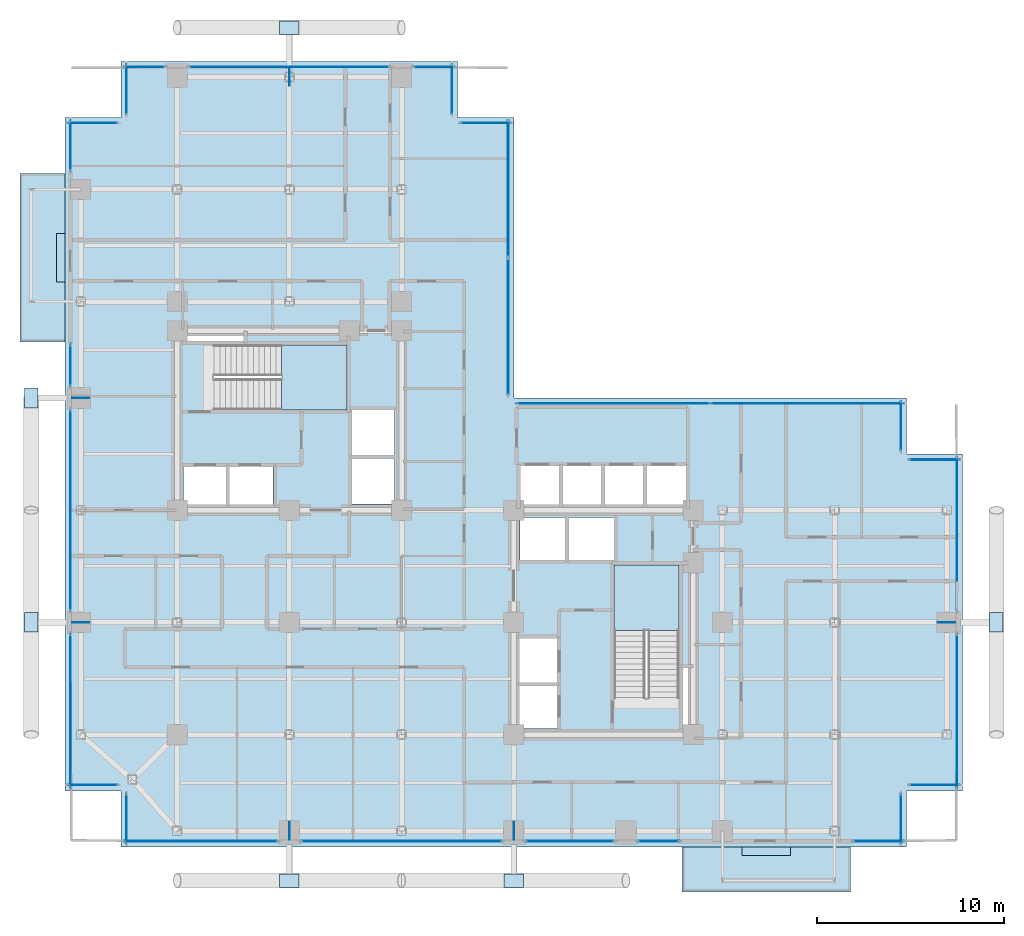
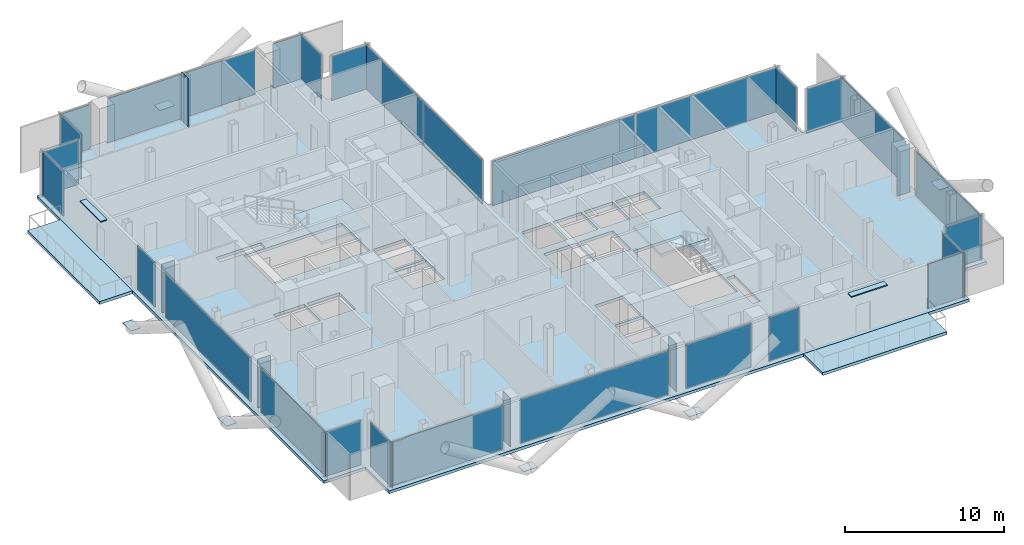
# One storey, part 18 of 28: 42 plates, 5 slabs, 28 elements without a shape of their own.
"""IFC4 building model written with IfcOpenShell, lengths in metres."""

from ifc_helpers import new_model, si_unit, direction, frame, origin, origin_2d, place, context, subcontext, project, spatial, polyline, rectangle, outline, extrude, material, layer, layer_set, type_object, element, aggregate, save


model = new_model("IFC4")

# Units and contexts
model_context = context("Model", 3, precision=1e-05, world=origin(), true_north=direction((0.0, 1.0)))
body_context = subcontext(model_context, "Body", "Model", "MODEL_VIEW")
ifc_project = project(units=[si_unit("LENGTHUNIT", "METRE"), si_unit("AREAUNIT", "SQUARE_METRE"), si_unit("VOLUMEUNIT", "CUBIC_METRE"), si_unit("PLANEANGLEUNIT", "RADIAN"), si_unit("MASSUNIT", "GRAM", prefix="KILO"), si_unit("THERMODYNAMICTEMPERATUREUNIT", "KELVIN"), si_unit("POWERUNIT", "WATT")], contexts=[model_context])

# Site, building, storey
site_placement = place(None, origin())
site = spatial("IfcSite", under=ifc_project, at=site_placement, CompositionType="ELEMENT")
building_placement = place(site_placement, origin())
building = spatial("IfcBuilding", under=site, at=building_placement, Name="Svarakhadi Broadcast Tower", CompositionType="ELEMENT")
storey_placement = place(building_placement, frame((0.0, 0.0, 153.14990234375)))
storey = spatial("IfcBuildingStorey", under=building, at=storey_placement, Name="L37", CompositionType="ELEMENT", Elevation=153.14990234375)

# Curtain wall, plate
ifc_material_1 = material(Name="Anodised Bronze Aluminium AA 6063-T6", Category="aluminium")
ifc_layer_1 = layer(ifc_material_1, 0.199951171875)
ifc_layer_set_1 = layer_set([ifc_layer_1], Name="Anodised Bronze Aluminium AA 6063-T6")
curtain_wall_type = type_object("IfcCurtainWallType", Name="CW_Sys_03", PredefinedType="NOTDEFINED", material=ifc_layer_set_1)
curtain_wall_1_placement = place(storey_placement, origin())
curtain_wall_1 = element("IfcCurtainWall", 1, at=curtain_wall_1_placement, inside=storey, type_object=curtain_wall_type, Name="L37 Unitised Facade Curtain Wall 01", PredefinedType="NOTDEFINED")
ifc_material_2 = material(Name="Double Low-E Laminated Acoustic Glass IGU 36 mm", Category="glass")
ifc_layer_2 = layer(ifc_material_2, 0.035888671875)
ifc_layer_set_2 = layer_set([ifc_layer_2], Name="Double Low-E Laminated Acoustic Glass IGU 36 mm")
plate_type_1 = type_object("IfcPlateType", Name="CW_Sys_03_Pnl", PredefinedType="CURTAIN_PANEL", material=ifc_layer_set_2)
plate_1_placement = place(storey_placement, frame((1.5, 3.300048828125, 0.0703125), z_axis=(0.0, 0.0, 1.0), x_axis=(-1.0, 0.0, 0.0)))
plate_1 = element("IfcPlate", 2, at=plate_1_placement, type_object=plate_type_1, Name="CW-03 panel 1.1", PredefinedType="CURTAIN_PANEL", context=body_context, shape_type="SweptSolid", body=[
    extrude(rectangle(XDim=2.669921875, YDim=0.035888671875, at=origin_2d()), origin(), (0.0, 0.0, 1.0), 3.385009765625),
])
aggregate(curtain_wall_1, [plate_1])

curtain_wall_2_placement = place(storey_placement, origin())
curtain_wall_2 = element("IfcCurtainWall", 3, at=curtain_wall_2_placement, inside=storey, type_object=curtain_wall_type, Name="L37 West Curtain Wall 02 Bay 1", PredefinedType="NOTDEFINED")
plate_2_placement = place(storey_placement, frame((0.300048828125, 7.260009765625, 0.0703125), z_axis=(0.0, 0.0, 1.0), x_axis=(0.0, 1.0, 0.0)))
plate_2 = element("IfcPlate", 4, at=plate_2_placement, type_object=plate_type_1, Name="CW-03 panel 1.1", PredefinedType="CURTAIN_PANEL", context=body_context, shape_type="SweptSolid", body=[
    extrude(rectangle(XDim=8.18994140625, YDim=0.035888671875, at=origin_2d()), origin(), (0.0, 0.0, 1.0), 3.385009765625),
])
aggregate(curtain_wall_2, [plate_2])

curtain_wall_3_placement = place(storey_placement, origin())
curtain_wall_3 = element("IfcCurtainWall", 5, at=curtain_wall_3_placement, inside=storey, type_object=curtain_wall_type, Name="L37 West Curtain Wall 02 Bay 2", PredefinedType="NOTDEFINED")
plate_3_placement = place(storey_placement, frame((0.300048828125, 18.0, 0.0703125), z_axis=(0.0, 0.0, 1.0), x_axis=(0.0, 1.0, 0.0)))
plate_3 = element("IfcPlate", 6, at=plate_3_placement, type_object=plate_type_1, Name="CW-03 panel 1.1", PredefinedType="CURTAIN_PANEL", context=body_context, shape_type="SweptSolid", body=[
    extrude(rectangle(XDim=10.7099609375, YDim=0.035888671875, at=origin_2d()), origin(), (0.0, 0.0, 1.0), 3.385009765625),
])
aggregate(curtain_wall_3, [plate_3])

curtain_wall_4_placement = place(storey_placement, origin())
curtain_wall_4 = element("IfcCurtainWall", 7, at=curtain_wall_4_placement, inside=storey, type_object=curtain_wall_type, Name="L37 West Curtain Wall 02 Bay 3", PredefinedType="NOTDEFINED")
plate_4_placement = place(storey_placement, frame((0.300048828125, 25.739990234375, 0.0703125), z_axis=(0.0, 0.0, 1.0), x_axis=(0.0, 1.0, 0.0)))
plate_4 = element("IfcPlate", 8, at=plate_4_placement, type_object=plate_type_1, Name="CW-03 panel 1.1", PredefinedType="CURTAIN_PANEL", context=body_context, shape_type="SweptSolid", body=[
    extrude(rectangle(XDim=2.18994140625, YDim=0.035888671875, at=origin_2d()), origin(), (0.0, 0.0, 1.0), 3.385009765625),
])
aggregate(curtain_wall_4, [plate_4])

curtain_wall_5_placement = place(storey_placement, origin())
curtain_wall_5 = element("IfcCurtainWall", 9, at=curtain_wall_5_placement, inside=storey, type_object=curtain_wall_type, Name="L37 West Curtain Wall 03", PredefinedType="NOTDEFINED")
plate_5_placement = place(storey_placement, frame((0.300048828125, 37.5, 0.0703125), z_axis=(0.0, 0.0, 1.0), x_axis=(0.0, 1.0, 0.0)))
plate_5 = element("IfcPlate", 10, at=plate_5_placement, type_object=plate_type_1, Name="CW-03 panel 1.1", PredefinedType="CURTAIN_PANEL", context=body_context, shape_type="SweptSolid", body=[
    extrude(rectangle(XDim=2.669921875, YDim=0.035888671875, at=origin_2d()), origin(), (0.0, 0.0, 1.0), 3.385009765625),
])
aggregate(curtain_wall_5, [plate_5])

curtain_wall_6_placement = place(storey_placement, origin())
curtain_wall_6 = element("IfcCurtainWall", 11, at=curtain_wall_6_placement, inside=storey, type_object=curtain_wall_type, Name="L37 Unitised Facade Curtain Wall 04", PredefinedType="NOTDEFINED")
plate_6_placement = place(storey_placement, frame((1.5, 38.699951171875, 0.0703125), z_axis=(0.0, 0.0, 1.0), x_axis=(1.0, 0.0, 0.0)))
plate_6 = element("IfcPlate", 12, at=plate_6_placement, type_object=plate_type_1, Name="CW-03 panel 1.1", PredefinedType="CURTAIN_PANEL", context=body_context, shape_type="SweptSolid", body=[
    extrude(rectangle(XDim=2.669921875, YDim=0.035888671875, at=origin_2d()), origin(), (0.0, 0.0, 1.0), 3.385009765625),
])
aggregate(curtain_wall_6, [plate_6])

curtain_wall_7_placement = place(storey_placement, origin())
curtain_wall_7 = element("IfcCurtainWall", 13, at=curtain_wall_7_placement, inside=storey, type_object=curtain_wall_type, Name="L37 Unitised Facade Curtain Wall 05", PredefinedType="NOTDEFINED")
plate_7_placement = place(storey_placement, frame((3.300048828125, 40.5, 0.0703125), z_axis=(0.0, 0.0, 1.0), x_axis=(0.0, 1.0, 0.0)))
plate_7 = element("IfcPlate", 14, at=plate_7_placement, type_object=plate_type_1, Name="CW-03 panel 1.1", PredefinedType="CURTAIN_PANEL", context=body_context, shape_type="SweptSolid", body=[
    extrude(rectangle(XDim=2.669921875, YDim=0.035888671875, at=origin_2d()), origin(), (0.0, 0.0, 1.0), 3.385009765625),
])
aggregate(curtain_wall_7, [plate_7])

curtain_wall_8_placement = place(storey_placement, origin())
curtain_wall_8 = element("IfcCurtainWall", 15, at=curtain_wall_8_placement, inside=storey, type_object=curtain_wall_type, Name="L37 Unitised Facade Curtain Wall 06 Bay 1", PredefinedType="NOTDEFINED")
plate_8_placement = place(storey_placement, frame((4.260009765625, 41.699951171875, 0.0703125), z_axis=(0.0, 0.0, 1.0), x_axis=(1.0, 0.0, 0.0)))
plate_8 = element("IfcPlate", 16, at=plate_8_placement, type_object=plate_type_1, Name="CW-03 panel 1.1", PredefinedType="CURTAIN_PANEL", context=body_context, shape_type="SweptSolid", body=[
    extrude(rectangle(XDim=2.18994140625, YDim=0.035888671875, at=origin_2d()), origin(), (0.0, 0.0, 1.0), 3.385009765625),
])
aggregate(curtain_wall_8, [plate_8])

curtain_wall_9_placement = place(storey_placement, origin())
curtain_wall_9 = element("IfcCurtainWall", 17, at=curtain_wall_9_placement, inside=storey, type_object=curtain_wall_type, Name="L37 Unitised Facade Curtain Wall 06 Bay 2", PredefinedType="NOTDEFINED")
plate_9_placement = place(storey_placement, frame((12.0, 41.699951171875, 0.0703125), z_axis=(0.0, 0.0, 1.0), x_axis=(1.0, 0.0, 0.0)))
plate_9 = element("IfcPlate", 18, at=plate_9_placement, type_object=plate_type_1, Name="CW-03 panel 1.1", PredefinedType="CURTAIN_PANEL", context=body_context, shape_type="SweptSolid", body=[
    extrude(rectangle(XDim=10.7099609375, YDim=0.035888671875, at=origin_2d()), origin(), (0.0, 0.0, 1.0), 3.385009765625),
])
aggregate(curtain_wall_9, [plate_9])

curtain_wall_10_placement = place(storey_placement, origin())
curtain_wall_10 = element("IfcCurtainWall", 19, at=curtain_wall_10_placement, inside=storey, type_object=curtain_wall_type, Name="L37 Unitised Facade Curtain Wall 06 Bay 3", PredefinedType="NOTDEFINED")
plate_10_placement = place(storey_placement, frame((19.739990234375, 41.699951171875, 0.0703125), z_axis=(0.0, 0.0, 1.0), x_axis=(1.0, 0.0, 0.0)))
plate_10 = element("IfcPlate", 20, at=plate_10_placement, type_object=plate_type_1, Name="CW-03 panel 1.1", PredefinedType="CURTAIN_PANEL", context=body_context, shape_type="SweptSolid", body=[
    extrude(rectangle(XDim=2.18994140625, YDim=0.035888671875, at=origin_2d()), origin(), (0.0, 0.0, 1.0), 3.385009765625),
])
aggregate(curtain_wall_10, [plate_10])

curtain_wall_11_placement = place(storey_placement, origin())
curtain_wall_11 = element("IfcCurtainWall", 21, at=curtain_wall_11_placement, inside=storey, type_object=curtain_wall_type, Name="L37 Unitised Facade Curtain Wall 07", PredefinedType="NOTDEFINED")
plate_11_placement = place(storey_placement, frame((20.699951171875, 40.5, 0.0703125), z_axis=(0.0, 0.0, 1.0), x_axis=(0.0, -1.0, 0.0)))
plate_11 = element("IfcPlate", 22, at=plate_11_placement, type_object=plate_type_1, Name="CW-03 panel 1.1", PredefinedType="CURTAIN_PANEL", context=body_context, shape_type="SweptSolid", body=[
    extrude(rectangle(XDim=2.669921875, YDim=0.035888671875, at=origin_2d()), origin(), (0.0, 0.0, 1.0), 3.385009765625),
])
aggregate(curtain_wall_11, [plate_11])

curtain_wall_12_placement = place(storey_placement, origin())
curtain_wall_12 = element("IfcCurtainWall", 23, at=curtain_wall_12_placement, inside=storey, type_object=curtain_wall_type, Name="L37 Unitised Facade Curtain Wall 08", PredefinedType="NOTDEFINED")
plate_12_placement = place(storey_placement, frame((22.5, 38.699951171875, 0.0703125), z_axis=(0.0, 0.0, 1.0), x_axis=(1.0, 0.0, 0.0)))
plate_12 = element("IfcPlate", 24, at=plate_12_placement, type_object=plate_type_1, Name="CW-03 panel 1.1", PredefinedType="CURTAIN_PANEL", context=body_context, shape_type="SweptSolid", body=[
    extrude(rectangle(XDim=2.669921875, YDim=0.035888671875, at=origin_2d()), origin(), (0.0, 0.0, 1.0), 3.385009765625),
])
aggregate(curtain_wall_12, [plate_12])

# Curtain wall, plates
curtain_wall_13_placement = place(storey_placement, origin())
curtain_wall_13 = element("IfcCurtainWall", 25, at=curtain_wall_13_placement, inside=storey, type_object=curtain_wall_type, Name="L37 Unitised Facade Curtain Wall 09", PredefinedType="NOTDEFINED")
plate_13_placement = place(storey_placement, frame((23.699951171875, 35.186279296875, 0.0703125), z_axis=(0.0, 0.0, 1.0), x_axis=(0.0, -1.0, 0.0)))
plate_13 = element("IfcPlate", 26, at=plate_13_placement, type_object=plate_type_1, Name="CW-03 panel 1.1", PredefinedType="CURTAIN_PANEL", context=body_context, shape_type="SweptSolid", body=[
    extrude(rectangle(XDim=7.297607421875, YDim=0.035888671875, at=origin_2d()), origin(), (0.0, 0.0, 1.0), 3.385009765625),
])
plate_14_placement = place(storey_placement, frame((23.699951171875, 27.813720703125, 0.0703125), z_axis=(0.0, 0.0, 1.0), x_axis=(0.0, -1.0, 0.0)))
plate_14 = element("IfcPlate", 27, at=plate_14_placement, type_object=plate_type_1, Name="CW-03 panel 2.1", PredefinedType="CURTAIN_PANEL", context=body_context, shape_type="SweptSolid", body=[
    extrude(rectangle(XDim=7.297607421875, YDim=0.035888671875, at=origin_2d()), origin(), (0.0, 0.0, 1.0), 3.385009765625),
])
aggregate(curtain_wall_13, [plate_13, plate_14])

curtain_wall_14_placement = place(storey_placement, origin())
curtain_wall_14 = element("IfcCurtainWall", 28, at=curtain_wall_14_placement, inside=storey, type_object=curtain_wall_type, Name="L37 Unitised Facade Curtain Wall 10", PredefinedType="NOTDEFINED")
plate_15_placement = place(storey_placement, frame((29.313720703125, 23.699951171875, 0.0703125), z_axis=(0.0, 0.0, 1.0), x_axis=(1.0, 0.0, 0.0)))
plate_15 = element("IfcPlate", 29, at=plate_15_placement, type_object=plate_type_1, Name="CW-03 panel 1.1", PredefinedType="CURTAIN_PANEL", context=body_context, shape_type="SweptSolid", body=[
    extrude(rectangle(XDim=10.297607421875, YDim=0.035888671875, at=origin_2d()), origin(), (0.0, 0.0, 1.0), 3.385009765625),
])
plate_16_placement = place(storey_placement, frame((39.686279296875, 23.699951171875, 0.0703125), z_axis=(0.0, 0.0, 1.0), x_axis=(1.0, 0.0, 0.0)))
plate_16 = element("IfcPlate", 30, at=plate_16_placement, type_object=plate_type_1, Name="CW-03 panel 2.1", PredefinedType="CURTAIN_PANEL", context=body_context, shape_type="SweptSolid", body=[
    extrude(rectangle(XDim=10.297607421875, YDim=0.035888671875, at=origin_2d()), origin(), (0.0, 0.0, 1.0), 3.385009765625),
])
aggregate(curtain_wall_14, [plate_15, plate_16])

# Curtain wall, plate
curtain_wall_15_placement = place(storey_placement, origin())
curtain_wall_15 = element("IfcCurtainWall", 31, at=curtain_wall_15_placement, inside=storey, type_object=curtain_wall_type, Name="L37 Unitised Facade Curtain Wall 11", PredefinedType="NOTDEFINED")
plate_17_placement = place(storey_placement, frame((44.699951171875, 22.5, 0.0703125), z_axis=(0.0, 0.0, 1.0), x_axis=(0.0, -1.0, 0.0)))
plate_17 = element("IfcPlate", 32, at=plate_17_placement, type_object=plate_type_1, Name="CW-03 panel 1.1", PredefinedType="CURTAIN_PANEL", context=body_context, shape_type="SweptSolid", body=[
    extrude(rectangle(XDim=2.669921875, YDim=0.035888671875, at=origin_2d()), origin(), (0.0, 0.0, 1.0), 3.385009765625),
])
aggregate(curtain_wall_15, [plate_17])

curtain_wall_16_placement = place(storey_placement, origin())
curtain_wall_16 = element("IfcCurtainWall", 33, at=curtain_wall_16_placement, inside=storey, type_object=curtain_wall_type, Name="L37 Unitised Facade Curtain Wall 12", PredefinedType="NOTDEFINED")
plate_18_placement = place(storey_placement, frame((46.5, 20.699951171875, 0.0703125), z_axis=(0.0, 0.0, 1.0), x_axis=(1.0, 0.0, 0.0)))
plate_18 = element("IfcPlate", 34, at=plate_18_placement, type_object=plate_type_1, Name="CW-03 panel 1.1", PredefinedType="CURTAIN_PANEL", context=body_context, shape_type="SweptSolid", body=[
    extrude(rectangle(XDim=2.669921875, YDim=0.035888671875, at=origin_2d()), origin(), (0.0, 0.0, 1.0), 3.385009765625),
])
aggregate(curtain_wall_16, [plate_18])

curtain_wall_17_placement = place(storey_placement, origin())
curtain_wall_17 = element("IfcCurtainWall", 35, at=curtain_wall_17_placement, inside=storey, type_object=curtain_wall_type, Name="L37 Unitised Facade Curtain Wall 13 Bay 1", PredefinedType="NOTDEFINED")
plate_19_placement = place(storey_placement, frame((47.699951171875, 16.739990234375, 0.0703125), z_axis=(0.0, 0.0, 1.0), x_axis=(0.0, -1.0, 0.0)))
plate_19 = element("IfcPlate", 36, at=plate_19_placement, type_object=plate_type_1, Name="CW-03 panel 1.1", PredefinedType="CURTAIN_PANEL", context=body_context, shape_type="SweptSolid", body=[
    extrude(rectangle(XDim=8.18994140625, YDim=0.035888671875, at=origin_2d()), origin(), (0.0, 0.0, 1.0), 3.385009765625),
])
aggregate(curtain_wall_17, [plate_19])

curtain_wall_18_placement = place(storey_placement, origin())
curtain_wall_18 = element("IfcCurtainWall", 37, at=curtain_wall_18_placement, inside=storey, type_object=curtain_wall_type, Name="L37 Unitised Facade Curtain Wall 13 Bay 2", PredefinedType="NOTDEFINED")
plate_20_placement = place(storey_placement, frame((47.699951171875, 7.260009765625, 0.0703125), z_axis=(0.0, 0.0, 1.0), x_axis=(0.0, -1.0, 0.0)))
plate_20 = element("IfcPlate", 38, at=plate_20_placement, type_object=plate_type_1, Name="CW-03 panel 1.1", PredefinedType="CURTAIN_PANEL", context=body_context, shape_type="SweptSolid", body=[
    extrude(rectangle(XDim=8.18994140625, YDim=0.035888671875, at=origin_2d()), origin(), (0.0, 0.0, 1.0), 3.385009765625),
])
aggregate(curtain_wall_18, [plate_20])

curtain_wall_19_placement = place(storey_placement, origin())
curtain_wall_19 = element("IfcCurtainWall", 39, at=curtain_wall_19_placement, inside=storey, type_object=curtain_wall_type, Name="L37 Unitised Facade Curtain Wall 14", PredefinedType="NOTDEFINED")
plate_21_placement = place(storey_placement, frame((46.5, 3.300048828125, 0.0703125), z_axis=(0.0, 0.0, 1.0), x_axis=(-1.0, 0.0, 0.0)))
plate_21 = element("IfcPlate", 40, at=plate_21_placement, type_object=plate_type_1, Name="CW-03 panel 1.1", PredefinedType="CURTAIN_PANEL", context=body_context, shape_type="SweptSolid", body=[
    extrude(rectangle(XDim=2.669921875, YDim=0.035888671875, at=origin_2d()), origin(), (0.0, 0.0, 1.0), 3.385009765625),
])
aggregate(curtain_wall_19, [plate_21])

curtain_wall_20_placement = place(storey_placement, origin())
curtain_wall_20 = element("IfcCurtainWall", 41, at=curtain_wall_20_placement, inside=storey, type_object=curtain_wall_type, Name="L37 Unitised Facade Curtain Wall 15", PredefinedType="NOTDEFINED")
plate_22_placement = place(storey_placement, frame((44.699951171875, 1.5, 0.0703125), z_axis=(0.0, 0.0, 1.0), x_axis=(0.0, -1.0, 0.0)))
plate_22 = element("IfcPlate", 42, at=plate_22_placement, type_object=plate_type_1, Name="CW-03 panel 1.1", PredefinedType="CURTAIN_PANEL", context=body_context, shape_type="SweptSolid", body=[
    extrude(rectangle(XDim=2.669921875, YDim=0.035888671875, at=origin_2d()), origin(), (0.0, 0.0, 1.0), 3.385009765625),
])
aggregate(curtain_wall_20, [plate_22])

curtain_wall_21_placement = place(storey_placement, origin())
curtain_wall_21 = element("IfcCurtainWall", 43, at=curtain_wall_21_placement, inside=storey, type_object=curtain_wall_type, Name="L37 South Curtain Wall 16", PredefinedType="NOTDEFINED")
plate_23_placement = place(storey_placement, frame((43.5, 0.300048828125, 0.0703125), z_axis=(0.0, 0.0, 1.0), x_axis=(-1.0, 0.0, 0.0)))
plate_23 = element("IfcPlate", 44, at=plate_23_placement, type_object=plate_type_1, Name="CW-03 panel 1.1", PredefinedType="CURTAIN_PANEL", context=body_context, shape_type="SweptSolid", body=[
    extrude(rectangle(XDim=2.669921875, YDim=0.035888671875, at=origin_2d()), origin(), (0.0, 0.0, 1.0), 3.385009765625),
])
aggregate(curtain_wall_21, [plate_23])

curtain_wall_22_placement = place(storey_placement, origin())
curtain_wall_22 = element("IfcCurtainWall", 45, at=curtain_wall_22_placement, inside=storey, type_object=curtain_wall_type, Name="L37 South Curtain Wall 17 Bay 1", PredefinedType="NOTDEFINED")
plate_24_placement = place(storey_placement, frame((31.739990234375, 0.300048828125, 0.0703125), z_axis=(0.0, 0.0, 1.0), x_axis=(-1.0, 0.0, 0.0)))
plate_24 = element("IfcPlate", 46, at=plate_24_placement, type_object=plate_type_1, Name="CW-03 panel 1.1", PredefinedType="CURTAIN_PANEL", context=body_context, shape_type="SweptSolid", body=[
    extrude(rectangle(XDim=2.18994140625, YDim=0.035888671875, at=origin_2d()), origin(), (0.0, 0.0, 1.0), 3.385009765625),
])
aggregate(curtain_wall_22, [plate_24])

curtain_wall_23_placement = place(storey_placement, origin())
curtain_wall_23 = element("IfcCurtainWall", 47, at=curtain_wall_23_placement, inside=storey, type_object=curtain_wall_type, Name="L37 South Curtain Wall 17 Bay 2", PredefinedType="NOTDEFINED")
plate_25_placement = place(storey_placement, frame((27.0, 0.300048828125, 0.0703125), z_axis=(0.0, 0.0, 1.0), x_axis=(-1.0, 0.0, 0.0)))
plate_25 = element("IfcPlate", 48, at=plate_25_placement, type_object=plate_type_1, Name="CW-03 panel 1.1", PredefinedType="CURTAIN_PANEL", context=body_context, shape_type="SweptSolid", body=[
    extrude(rectangle(XDim=4.7099609375, YDim=0.035888671875, at=origin_2d()), origin(), (0.0, 0.0, 1.0), 3.385009765625),
])
aggregate(curtain_wall_23, [plate_25])

curtain_wall_24_placement = place(storey_placement, origin())
curtain_wall_24 = element("IfcCurtainWall", 49, at=curtain_wall_24_placement, inside=storey, type_object=curtain_wall_type, Name="L37 South Curtain Wall 17 Bay 3", PredefinedType="NOTDEFINED")
plate_26_placement = place(storey_placement, frame((18.0, 0.300048828125, 0.0703125), z_axis=(0.0, 0.0, 1.0), x_axis=(-1.0, 0.0, 0.0)))
plate_26 = element("IfcPlate", 50, at=plate_26_placement, type_object=plate_type_1, Name="CW-03 panel 1.1", PredefinedType="CURTAIN_PANEL", context=body_context, shape_type="SweptSolid", body=[
    extrude(rectangle(XDim=10.7099609375, YDim=0.035888671875, at=origin_2d()), origin(), (0.0, 0.0, 1.0), 3.385009765625),
])
aggregate(curtain_wall_24, [plate_26])

curtain_wall_25_placement = place(storey_placement, origin())
curtain_wall_25 = element("IfcCurtainWall", 51, at=curtain_wall_25_placement, inside=storey, type_object=curtain_wall_type, Name="L37 South Curtain Wall 17 Bay 4", PredefinedType="NOTDEFINED")
plate_27_placement = place(storey_placement, frame((7.260009765625, 0.300048828125, 0.0703125), z_axis=(0.0, 0.0, 1.0), x_axis=(-1.0, 0.0, 0.0)))
plate_27 = element("IfcPlate", 52, at=plate_27_placement, type_object=plate_type_1, Name="CW-03 panel 1.1", PredefinedType="CURTAIN_PANEL", context=body_context, shape_type="SweptSolid", body=[
    extrude(rectangle(XDim=8.18994140625, YDim=0.035888671875, at=origin_2d()), origin(), (0.0, 0.0, 1.0), 3.385009765625),
])
aggregate(curtain_wall_25, [plate_27])

curtain_wall_26_placement = place(storey_placement, origin())
curtain_wall_26 = element("IfcCurtainWall", 53, at=curtain_wall_26_placement, inside=storey, type_object=curtain_wall_type, Name="L37 Unitised Facade Curtain Wall 18", PredefinedType="NOTDEFINED")
plate_28_placement = place(storey_placement, frame((3.300048828125, 1.5, 0.0703125), z_axis=(0.0, 0.0, 1.0), x_axis=(0.0, 1.0, 0.0)))
plate_28 = element("IfcPlate", 54, at=plate_28_placement, type_object=plate_type_1, Name="CW-03 panel 1.1", PredefinedType="CURTAIN_PANEL", context=body_context, shape_type="SweptSolid", body=[
    extrude(rectangle(XDim=2.669921875, YDim=0.035888671875, at=origin_2d()), origin(), (0.0, 0.0, 1.0), 3.385009765625),
])
aggregate(curtain_wall_26, [plate_28])

# Plates
ifc_material_3 = material(Name="Steel S460ML (IS 2062 E450BR)", Category="steel")
ifc_layer_3 = layer(ifc_material_3, 0.031982421875)
ifc_layer_set_3 = layer_set([ifc_layer_3], Name="Steel S460ML (IS 2062 E450BR)")
plate_type_2 = type_object("IfcPlateType", Name="Node_Gusset_N02", PredefinedType="SHEET", material=ifc_layer_set_3)
for number, where, z_axis, x_axis, name in (
    (55, (12.0, -1.800048828125, -0.22509765625), (0.0, 0.0, 1.0), (1.0, 0.0, 0.0), "L37 Exoskeleton Gusset Node Plate S01"),
    (56, (24.0, -1.800048828125, -0.22509765625), (0.0, 0.0, 1.0), (1.0, 0.0, 0.0), "L37 Exoskeleton Gusset Node Plate S02"),
    (57, (-1.800048828125, 12.0, -0.22509765625), (0.0, 0.0, 1.0), (0.0, 1.0, 0.0), "L37 Exoskeleton Gusset Node Plate W03"),
    (58, (-1.800048828125, 24.0, -0.22509765625), (0.0, 0.0, 1.0), (0.0, 1.0, 0.0), "L37 Exoskeleton Gusset Node Plate W04"),
    (59, (49.800048828125, 12.0, -0.22509765625), (0.0, 0.0, 1.0), (0.0, 1.0, 0.0), "L37 Exoskeleton Gusset Node Plate E05"),
    (60, (12.0, 43.800048828125, -0.22509765625), (0.0, 0.0, 1.0), (1.0, 0.0, 0.0), "L37 Exoskeleton Gusset Node Plate N06"),
):
    element("IfcPlate", number, at=place(storey_placement, frame(where, z_axis=z_axis, x_axis=x_axis)), inside=storey, type_object=plate_type_2, Name=name, PredefinedType="SHEET", context=body_context, shape_type="SweptSolid", body=[
        extrude(rectangle(XDim=1.050048828125, YDim=0.719970703125, at=origin_2d()), origin(), (0.0, 0.0, 1.0), 0.031982421875),
    ])
ifc_layer_4 = layer(ifc_material_3, 0.02587890625)
ifc_layer_set_4 = layer_set([ifc_layer_4], Name="Steel S460ML (IS 2062 E450BR)")
plate_type_3 = type_object("IfcPlateType", Name="Node_Gusset_N07", PredefinedType="SHEET", material=ifc_layer_set_4)
for number, where, z_axis, x_axis, name in (
    (61, (12.0, 0.85009765625, -0.5869140625), (0.0, 0.0, 1.0), (0.0, 1.0, 0.0), "L37 Brace End Connection Gusset Plate N-07-E0304"),
    (62, (24.0, 0.85009765625, -0.5869140625), (0.0, 0.0, 1.0), (0.0, 1.0, 0.0), "L37 Brace End Connection Gusset Plate N-07-E0305"),
    (63, (0.85009765625, 12.0, -0.5869140625), (0.0, 0.0, 1.0), (1.0, 0.0, 0.0), "L37 Brace End Connection Gusset Plate N-07-E0306"),
    (64, (0.85009765625, 24.0, -0.5869140625), (0.0, 0.0, 1.0), (1.0, 0.0, 0.0), "L37 Brace End Connection Gusset Plate N-07-E0307"),
    (65, (47.14990234375, 12.0, -0.5869140625), (0.0, 0.0, 1.0), (1.0, 0.0, 0.0), "L37 Brace End Connection Gusset Plate N-07-E0308"),
    (66, (12.0, 41.14990234375, -0.5869140625), (0.0, 0.0, 1.0), (0.0, 1.0, 0.0), "L37 Brace End Connection Gusset Plate N-07-E0309"),
):
    element("IfcPlate", number, at=place(storey_placement, frame(where, z_axis=z_axis, x_axis=x_axis)), inside=storey, type_object=plate_type_3, Name=name, PredefinedType="SHEET", context=body_context, shape_type="SweptSolid", body=[
        extrude(rectangle(XDim=0.919921875, YDim=0.02587890625, at=origin_2d()), origin(), (0.0, 0.0, 1.0), 4.300048828125),
    ])

# Slab
ifc_material_4 = material(Name="Concrete C40/50 (IS 456 M50)", Category="concrete")
ifc_layer_5 = layer(ifc_material_4, 0.22509765625)
ifc_layer_set_5 = layer_set([ifc_layer_5], Name="Concrete C40/50 (IS 456 M50)")
slab_type_1 = type_object("IfcSlabType", Name="Slab_Floor_225", PredefinedType="FLOOR", material=ifc_layer_set_5)
slab_1_placement = place(storey_placement, frame((0.0, 0.0, -0.224853515625)))
element("IfcSlab", 67, at=slab_1_placement, inside=storey, type_object=slab_type_1, Name="L37 Structural Floor Slab", PredefinedType="FLOOR", context=body_context, shape_type="SweptSolid", body=[
    extrude(outline(polyline([(3.0, 0.0), (45.0, 0.0), (45.0, 3.0), (48.0, 3.0), (48.0, 21.0), (45.0, 21.0), (45.0, 24.0), (24.0, 24.0), (24.0, 39.0), (21.0, 39.0), (21.0, 42.0), (3.0, 42.0), (3.0, 39.0), (0.0, 39.0), (0.0, 3.0), (3.0, 3.0), (3.0, 0.0)]), holes=[polyline([(7.97998046875, 23.360107421875), (15.080078125, 23.360107421875), (15.080078125, 26.840087890625), (7.97998046875, 26.840087890625), (7.97998046875, 23.360107421875)]), polyline([(32.840087890625, 7.97998046875), (32.840087890625, 15.080078125), (29.360107421875, 15.080078125), (29.360107421875, 7.97998046875), (32.840087890625, 7.97998046875)]), polyline([(6.340087890625, 18.2900390625), (8.610107421875, 18.2900390625), (8.610107421875, 20.330078125), (6.340087890625, 20.330078125), (6.340087890625, 18.2900390625)]), polyline([(8.7900390625, 18.2900390625), (11.1298828125, 18.2900390625), (11.1298828125, 20.330078125), (8.7900390625, 20.330078125), (8.7900390625, 18.2900390625)]), polyline([(24.2900390625, 6.340087890625), (26.330078125, 6.340087890625), (26.330078125, 8.610107421875), (24.2900390625, 8.610107421875), (24.2900390625, 6.340087890625)]), polyline([(24.2900390625, 8.7900390625), (26.330078125, 8.7900390625), (26.330078125, 11.1298828125), (24.2900390625, 11.1298828125), (24.2900390625, 8.7900390625)]), polyline([(6.340087890625, 26.989990234375), (9.610107421875, 26.989990234375), (9.610107421875, 27.530029296875), (6.340087890625, 27.530029296875), (6.340087890625, 26.989990234375)]), polyline([(32.989990234375, 6.340087890625), (33.530029296875, 6.340087890625), (33.530029296875, 9.610107421875), (32.989990234375, 9.610107421875), (32.989990234375, 6.340087890625)]), polyline([(15.340087890625, 18.340087890625), (17.610107421875, 18.340087890625), (17.610107421875, 20.760009765625), (15.340087890625, 20.760009765625), (15.340087890625, 18.340087890625)]), polyline([(15.340087890625, 20.93994140625), (17.610107421875, 20.93994140625), (17.610107421875, 23.360107421875), (15.340087890625, 23.360107421875), (15.340087890625, 20.93994140625)]), polyline([(24.340087890625, 15.340087890625), (26.760009765625, 15.340087890625), (26.760009765625, 17.610107421875), (24.340087890625, 17.610107421875), (24.340087890625, 15.340087890625)]), polyline([(26.93994140625, 15.340087890625), (29.360107421875, 15.340087890625), (29.360107421875, 17.610107421875), (26.93994140625, 17.610107421875), (26.93994140625, 15.340087890625)]), polyline([(24.340087890625, 18.239990234375), (26.429931640625, 18.239990234375), (26.429931640625, 20.360107421875), (24.340087890625, 20.360107421875), (24.340087890625, 18.239990234375)]), polyline([(26.610107421875, 18.239990234375), (28.679931640625, 18.239990234375), (28.679931640625, 20.360107421875), (26.610107421875, 20.360107421875), (26.610107421875, 18.239990234375)]), polyline([(28.860107421875, 18.239990234375), (30.929931640625, 18.239990234375), (30.929931640625, 20.360107421875), (28.860107421875, 20.360107421875), (28.860107421875, 18.239990234375)]), polyline([(31.110107421875, 18.239990234375), (33.2099609375, 18.239990234375), (33.2099609375, 20.360107421875), (31.110107421875, 20.360107421875), (31.110107421875, 18.239990234375)])]), origin(), (0.0, 0.0, 1.0), 0.224853515625),
])

# Stair, slab
stair_type = type_object("IfcStairType", Name="Stair_Exit_Core", PredefinedType="HALF_TURN_STAIR", material=ifc_material_4)
stair_1_placement = place(storey_placement, origin())
stair_1 = element("IfcStair", 68, at=stair_1_placement, inside=storey, type_object=stair_type, Name="L37 West Core Protected Exit Stair ST-01", PredefinedType="HALF_TURN_STAIR")
ifc_layer_6 = layer(ifc_material_4, 0.199951171875)
ifc_layer_set_6 = layer_set([ifc_layer_6], Name="Concrete C40/50 (IS 456 M50)")
slab_type_2 = type_object("IfcSlabType", Name="Slab_Stair_Land", PredefinedType="LANDING", material=ifc_layer_set_6)
slab_2_placement = place(storey_placement, frame((0.0, 0.0, 1.675048828125)))
slab_2 = element("IfcSlab", 69, at=slab_2_placement, type_object=slab_type_2, Name="ST-01 landing 1", PredefinedType="LANDING", context=body_context, shape_type="SweptSolid", body=[
    extrude(outline(polyline([(11.580078125, 23.360107421875), (15.080078125, 23.360107421875), (15.080078125, 26.840087890625), (11.580078125, 26.840087890625), (11.580078125, 23.360107421875)])), origin(), (0.0, 0.0, 1.0), 0.199951171875),
])
aggregate(stair_1, [slab_2])

stair_2_placement = place(storey_placement, origin())
stair_2 = element("IfcStair", 70, at=stair_2_placement, inside=storey, type_object=stair_type, Name="L37 East Core Protected Exit Stair ST-02", PredefinedType="HALF_TURN_STAIR")
slab_3_placement = place(storey_placement, frame((0.0, 0.0, 1.675048828125)))
slab_3 = element("IfcSlab", 71, at=slab_3_placement, type_object=slab_type_2, Name="ST-02 landing 1", PredefinedType="LANDING", context=body_context, shape_type="SweptSolid", body=[
    extrude(outline(polyline([(32.840087890625, 11.580078125), (32.840087890625, 15.080078125), (29.360107421875, 15.080078125), (29.360107421875, 11.580078125), (32.840087890625, 11.580078125)])), origin(), (0.0, 0.0, 1.0), 0.199951171875),
])
aggregate(stair_2, [slab_3])

# Slabs
ifc_layer_7 = layer(ifc_material_4, 0.22509765625)
ifc_layer_set_7 = layer_set([ifc_layer_7], Name="Concrete C40/50 (IS 456 M50)")
slab_type_3 = type_object("IfcSlabType", Name="Slab_TreeBalcony", PredefinedType="FLOOR", material=ifc_layer_set_7)
slab_4_placement = place(storey_placement, frame((0.0, 0.0, -0.224853515625)))
element("IfcSlab", 72, at=slab_4_placement, inside=storey, type_object=slab_type_3, Name="L37 Planted Tree Balcony Slab BAL-E", PredefinedType="FLOOR", context=body_context, shape_type="SweptSolid", body=[
    extrude(outline(polyline([(33.0, -2.39990234375), (42.0, -2.39990234375), (42.0, 0.0), (33.0, 0.0), (33.0, -2.39990234375)])), origin(), (0.0, 0.0, 1.0), 0.224853515625),
])
slab_5_placement = place(storey_placement, frame((0.0, 0.0, -0.224853515625)))
element("IfcSlab", 73, at=slab_5_placement, inside=storey, type_object=slab_type_3, Name="L37 Planted Tree Balcony Slab BAL-N", PredefinedType="FLOOR", context=body_context, shape_type="SweptSolid", body=[
    extrude(outline(polyline([(-2.39990234375, 27.0), (0.0, 27.0), (0.0, 36.0), (-2.39990234375, 36.0), (-2.39990234375, 27.0)])), origin(), (0.0, 0.0, 1.0), 0.224853515625),
])

# Plates
ifc_layer_8 = layer(ifc_material_1, 0.080078125)
ifc_layer_set_8 = layer_set([ifc_layer_8], Name="Anodised Bronze Aluminium AA 6063-T6")
plate_type_4 = type_object("IfcPlateType", Name="Sunshade_Fin_SS01", PredefinedType="USERDEFINED", material=ifc_layer_set_8)
for number, where, z_axis, x_axis, name in (
    (74, (37.5, -0.22509765625, 3.445068359375), (0.0, 0.0, 1.0), (1.0, 0.0, 0.0), "L37 South Bronze Brise-Soleil Sunshade SS-01"),
    (75, (-0.22509765625, 31.5, 3.445068359375), (0.0, 0.0, 1.0), (0.0, 1.0, 0.0), "L37 West Bronze Brise-Soleil Sunshade SS-01"),
):
    element("IfcPlate", number, at=place(storey_placement, frame(where, z_axis=z_axis, x_axis=x_axis)), inside=storey, type_object=plate_type_4, Name=name, ObjectType="SUNSHADE", PredefinedType="USERDEFINED", context=body_context, shape_type="SweptSolid", body=[
        extrude(rectangle(XDim=2.60009765625, YDim=0.449951171875, at=origin_2d()), origin(), (0.0, 0.0, 1.0), 0.080078125),
    ])

save(model, "model.ifc")
